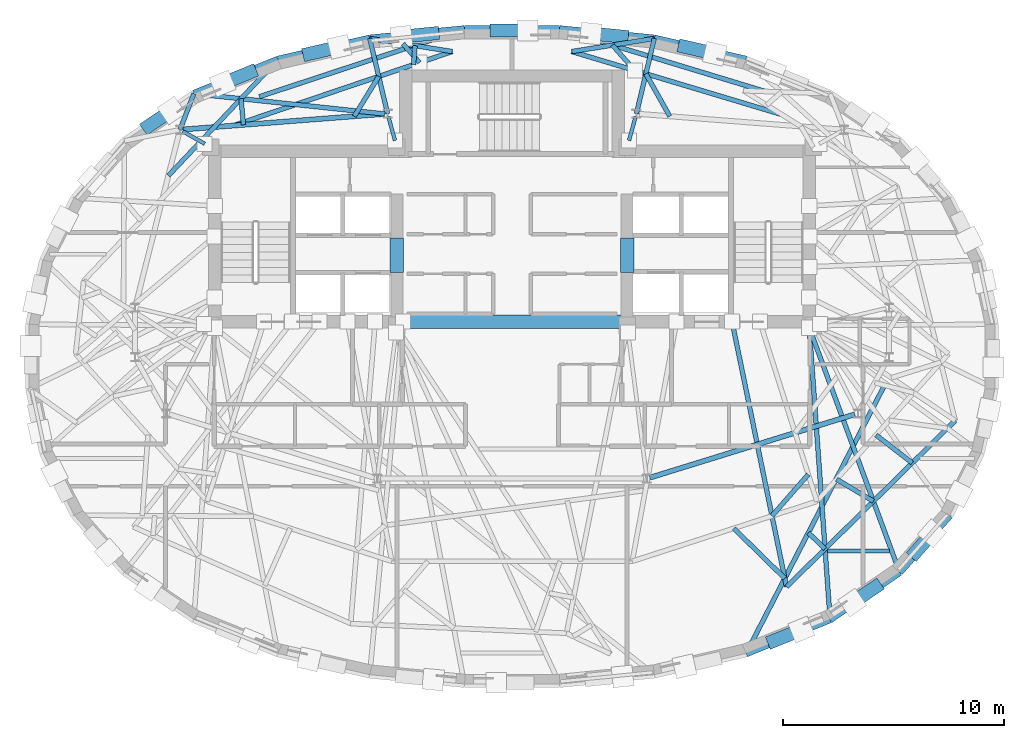
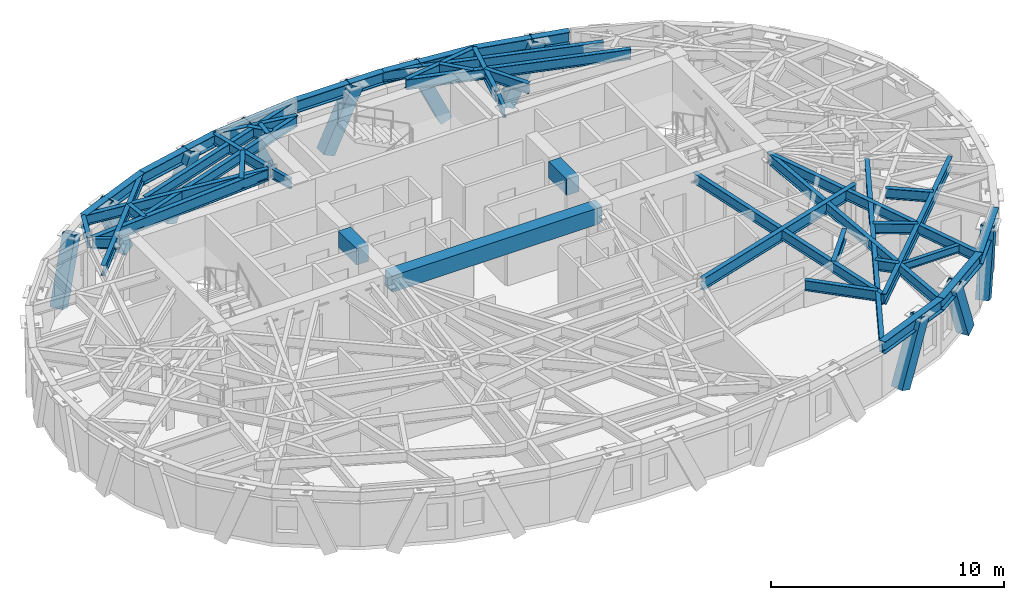
# One storey, part 3 of 12: 45 beams, 10 members.
"""IFC4 building model written with IfcOpenShell, lengths in metres."""

import ifcopenshell
import ifcopenshell.guid

model = None  # the IFC model being written
_history = None  # IfcOwnerHistory: only IFC2X3 demands one
_inside = {}  # id of a spatial element -> (the spatial element, [elements in it])
_under = {}  # id of a project, library or spatial element -> (it, [spatial elements below it])
_declared = {}  # id of a project -> (the project, [libraries it declares])
_typed = {}  # id of a type object -> (the type object, [elements of that type])
_made_of = {}  # id of a material, layer set ... -> (it, [elements and type objects made of it])


def new_model(schema):
    """Start an empty IFC model of exactly this schema.

    Asked for "IFC4X3", IfcOpenShell would pick the latest addendum, in which some entities
    have other attributes; the version numbers below select the first issue.
    IFC2X3 requires an IfcOwnerHistory on every rooted entity: one is made here for all.
    """
    global model, _history
    if schema == "IFC4X3":
        model = ifcopenshell.file(schema_version=(4, 3, 0, 0))
    else:
        model = ifcopenshell.file(schema=schema)
    _inside.clear()
    _under.clear()
    _declared.clear()
    _typed.clear()
    _made_of.clear()
    _history = None
    if model.schema == "IFC2X3":
        org = make("IfcOrganization", Name="unknown")
        user = make(
            "IfcPersonAndOrganization",
            ThePerson=make("IfcPerson", FamilyName="unknown"),
            TheOrganization=org,
        )
        app = make(
            "IfcApplication",
            ApplicationDeveloper=org,
            Version="unknown",
            ApplicationFullName="unknown",
            ApplicationIdentifier="unknown",
        )
        _history = make(
            "IfcOwnerHistory",
            OwningUser=user,
            OwningApplication=app,
            ChangeAction="ADDED",
            CreationDate=0,
        )
    return model


def make(cls, **values):
    """One entity of the class cls with the attributes given. An attribute that is None is left unset."""
    return model.create_entity(
        cls, **{name: value for name, value in values.items() if value is not None}
    )


def rooted(cls, **values):
    """An entity with a GlobalId (a new one), such as an element, a storey or a relation."""
    return make(cls, GlobalId=ifcopenshell.guid.new(), OwnerHistory=_history, **values)


def si_unit(unit_type, name, prefix=None):
    """IfcSIUnit, for example si_unit("LENGTHUNIT", "METRE", prefix="MILLI")."""
    return make("IfcSIUnit", UnitType=unit_type, Prefix=prefix, Name=name)


def assignment(units):
    """IfcUnitAssignment: the units of a project."""
    return None if units is None else make("IfcUnitAssignment", Units=units)


def point(xyz):
    """IfcCartesianPoint."""
    return None if xyz is None else make("IfcCartesianPoint", Coordinates=xyz)


def direction(xyz):
    """IfcDirection."""
    return None if xyz is None else make("IfcDirection", DirectionRatios=xyz)


def frame(location, z_axis=None, x_axis=None):
    """IfcAxis2Placement3D, a coordinate frame: its origin and axes. An axis left out is left unset."""
    return make(
        "IfcAxis2Placement3D",
        Location=point(location),
        Axis=direction(z_axis),
        RefDirection=direction(x_axis),
    )


def frame_2d(location, x_axis=None):
    """IfcAxis2Placement2D, a coordinate frame in the plane: its origin and x axis."""
    return make(
        "IfcAxis2Placement2D", Location=point(location), RefDirection=direction(x_axis)
    )


def origin():
    """The frame at (0, 0, 0) with its axes left unset."""
    return frame((0.0, 0.0, 0.0))


def origin_2d():
    """The frame at (0, 0) in the plane with its x axis left unset."""
    return frame_2d((0.0, 0.0))


def place(relative_to, where):
    """IfcLocalPlacement: puts the frame where relative to a parent placement (None: the world)."""
    return make(
        "IfcLocalPlacement", PlacementRelTo=relative_to, RelativePlacement=where
    )


def context(
    kind, dimensions, precision=None, world=None, true_north=None, identifier=None
):
    """IfcGeometricRepresentationContext, for example the 3D "Model" context."""
    return make(
        "IfcGeometricRepresentationContext",
        ContextIdentifier=identifier,
        ContextType=kind,
        CoordinateSpaceDimension=dimensions,
        Precision=precision,
        WorldCoordinateSystem=world,
        TrueNorth=true_north,
    )


def subcontext(parent, identifier, kind, view, scale=None):
    """IfcGeometricRepresentationSubContext, for example "Body" below "Model"."""
    return make(
        "IfcGeometricRepresentationSubContext",
        ContextIdentifier=identifier,
        ContextType=kind,
        ParentContext=parent,
        TargetScale=scale,
        TargetView=view,
    )


def project(units=None, contexts=None):
    """IfcProject with its units and contexts."""
    return rooted(
        "IfcProject",
        Name="project",
        RepresentationContexts=contexts,
        UnitsInContext=assignment(units),
    )


def spatial(cls, under=None, at=None, **own):
    """A site, building, storey or space (cls), placed at a placement, below another one or the project."""
    s = rooted(cls, ObjectPlacement=at, **own)
    if under is not None:
        _under.setdefault(under.id(), (under, []))[1].append(s)
    return s


def profile(cls, at=None, kind="AREA", **sizes):
    """A parametric profile (cls). Its sizes go by their IFC names, for example OverallWidth=200.0."""
    return make(cls, ProfileType=kind, Position=at, **sizes)


def rectangle(**sizes):
    """IfcRectangleProfileDef."""
    return profile("IfcRectangleProfileDef", **sizes)


def hollow_rectangle(**sizes):
    """IfcRectangleHollowProfileDef."""
    return profile("IfcRectangleHollowProfileDef", **sizes)


def i_section(**sizes):
    """IfcIShapeProfileDef."""
    return profile("IfcIShapeProfileDef", **sizes)


def extrude(swept, where, along, depth):
    """IfcExtrudedAreaSolid: the profile swept, set in the frame where, extruded along a direction by depth."""
    return make(
        "IfcExtrudedAreaSolid",
        SweptArea=swept,
        Position=where,
        ExtrudedDirection=direction(along),
        Depth=depth,
    )


def shape(context_of_items, identifier, shape_type, items):
    """IfcShapeRepresentation: the items that make up one representation, for example the "Body"."""
    return make(
        "IfcShapeRepresentation",
        ContextOfItems=context_of_items,
        RepresentationIdentifier=identifier,
        RepresentationType=shape_type,
        Items=items,
    )


def material(Name=None, Category=None):
    """IfcMaterial."""
    return make("IfcMaterial", Name=Name, Category=Category)


def material_profile(
    of_material, cross_section, Name=None, Category=None, Priority=None
):
    """IfcMaterialProfile: a cross section and its material."""
    return make(
        "IfcMaterialProfile",
        Name=Name,
        Material=of_material,
        Profile=cross_section,
        Priority=Priority,
        Category=Category,
    )


def profile_set(profiles, Name=None, composite=None):
    """IfcMaterialProfileSet."""
    return make(
        "IfcMaterialProfileSet",
        Name=Name,
        MaterialProfiles=profiles,
        CompositeProfile=composite,
    )


def made_of(thing, what):
    """Note that an element or type object is made of a material, layer set ...; save() writes the relation."""
    if what is not None:
        _made_of.setdefault(what.id(), (what, []))[1].append(thing)
    return thing


def type_object(cls, material=None, **own):
    """A type object (cls), such as IfcWallType, which elements share."""
    return made_of(rooted(cls, **own), material)


def element(
    cls,
    number,
    at=None,
    inside=None,
    cuts=None,
    type_object=None,
    material=None,
    context=None,
    identifier="Body",
    shape_type=None,
    held_by="IfcProductDefinitionShape",
    body=None,
    shapes=None,
    **own,
):
    """One element of the class cls, such as IfcWall. Its Tag is "e" and its number.

    at: its placement. inside: the storey or other place that contains it. cuts: it is an
    opening in that element (IfcRelVoidsElement). A single representation is given by context,
    identifier, shape_type and body (its items); several are given by shapes. held_by: the class
    of the entity that holds the representations. save() writes the other relations.
    """
    e = rooted(cls, Tag="e%d" % number, ObjectPlacement=at, **own)
    if body is not None:
        shapes = [shape(context, identifier, shape_type, body)]
    if shapes is not None:
        e.Representation = make(held_by, Representations=shapes)
    if inside is not None:
        _inside.setdefault(inside.id(), (inside, []))[1].append(e)
    if cuts is not None:
        rooted(
            "IfcRelVoidsElement", RelatingBuildingElement=cuts, RelatedOpeningElement=e
        )
    if type_object is not None:
        _typed.setdefault(type_object.id(), (type_object, []))[1].append(e)
    return made_of(e, material)


def aggregate(whole, parts):
    """IfcRelAggregates: a whole, such as a stair, and the parts it consists of."""
    return rooted("IfcRelAggregates", RelatingObject=whole, RelatedObjects=parts)


def save(model, path):
    """Write the relations noted so far, then the file.

    IfcRelAggregates (storeys below a building ...), IfcRelContainedInSpatialStructure (elements
    in a storey), IfcRelDefinesByType, IfcRelAssociatesMaterial and IfcRelDeclares: one each for
    every whole, place, type object, material and project.
    """
    for whole, parts in _under.values():
        aggregate(whole, parts)
    for where, things in _inside.values():
        rooted(
            "IfcRelContainedInSpatialStructure",
            RelatedElements=things,
            RelatingStructure=where,
        )
    for kind, things in _typed.values():
        rooted("IfcRelDefinesByType", RelatedObjects=things, RelatingType=kind)
    for what, things in _made_of.values():
        rooted("IfcRelAssociatesMaterial", RelatedObjects=things, RelatingMaterial=what)
    for by, libraries in _declared.values():
        rooted("IfcRelDeclares", RelatingContext=by, RelatedDefinitions=libraries)
    model.write(path)


model = new_model("IFC4")

# Units and contexts
model_context = context("Model", 3, precision=1e-05, world=origin(), true_north=direction((0.0, 1.0)))
body_context = subcontext(model_context, "Body", "Model", "MODEL_VIEW")
ifc_project = project(units=[si_unit("LENGTHUNIT", "METRE"), si_unit("AREAUNIT", "SQUARE_METRE"), si_unit("VOLUMEUNIT", "CUBIC_METRE"), si_unit("PLANEANGLEUNIT", "RADIAN"), si_unit("MASSUNIT", "GRAM", prefix="KILO")], contexts=[model_context])

# Site, building, storey
site_placement = place(None, origin())
site = spatial("IfcSite", under=ifc_project, at=site_placement, CompositionType="ELEMENT")
building_placement = place(site_placement, origin())
building = spatial("IfcBuilding", under=site, at=building_placement, Name="Keldmark Tower", CompositionType="ELEMENT")
storey_placement = place(building_placement, frame((0.0, 0.0, 238.35009765625)))
storey = spatial("IfcBuildingStorey", under=building, at=storey_placement, Name="L67", CompositionType="ELEMENT", Elevation=238.35009765625)

# Beams
ifc_material_1 = material(Name="Steel ASTM A992 Grade 50", Category="steel")
ifc_material_profile_1 = material_profile(ifc_material_1, i_section(OverallWidth=0.177978515625, OverallDepth=0.403076171875, WebThickness=0.007568359375, FlangeThickness=0.010986328125, at=origin_2d()), Name="W16X36")
ifc_profile_set_1 = profile_set([ifc_material_profile_1], Name="Steel ASTM A992 Grade 50")
beam_type_1 = type_object("IfcBeamType", Name="Composite Floor Joist W16X36", PredefinedType="JOIST", material=ifc_profile_set_1)
beam_1_placement = place(storey_placement, frame((14.241455078125, -8.780029296875, 2.768310546875), z_axis=(1.0, 0.0, 0.0), x_axis=(0.0, 1.0, 0.0)))
element("IfcBeam", 1, at=beam_1_placement, inside=storey, type_object=beam_type_1, Name="L67 Composite Floor Joist J02", PredefinedType="JOIST", context=body_context, shape_type="SweptSolid", body=[
    extrude(i_section(OverallWidth=0.177978515625, OverallDepth=0.403076171875, WebThickness=0.007568359375, FlangeThickness=0.010986328125, at=origin_2d()), origin(), (0.0, 0.0, 1.0), 2.805419921875),
])
ifc_material_2 = material(Name="Concrete C50/60", Category="concrete")
ifc_material_profile_2 = material_profile(ifc_material_2, rectangle(XDim=0.60009765625, YDim=0.85009765625, at=origin_2d()), Name="RCB600X850")
ifc_profile_set_2 = profile_set([ifc_material_profile_2], Name="Concrete C50/60")
beam_type_2 = type_object("IfcBeamType", Name="Core Coupling Beam RCB600X850", PredefinedType="USERDEFINED", material=ifc_profile_set_2)
for number, where, z_axis, x_axis, name in (
    (2, (-5.199951171875, 3.800048828125, 2.544921875), (0.0, 1.0, 0.0), (-1.0, 0.0, 0.0), "L67 West Core Coupling Beam"),
    (3, (5.199951171875, 3.800048828125, 2.544921875), (0.0, 1.0, 0.0), (-1.0, 0.0, 0.0), "L67 East Core Coupling Beam"),
):
    element("IfcBeam", number, at=place(storey_placement, frame(where, z_axis=z_axis, x_axis=x_axis)), inside=storey, type_object=beam_type_2, Name=name, ObjectType="COUPLING BEAM", PredefinedType="USERDEFINED", context=body_context, shape_type="SweptSolid", body=[
        extrude(rectangle(XDim=0.60009765625, YDim=0.85009765625, at=origin_2d()), origin(), (0.0, 0.0, 1.0), 1.550048828125),
    ])
beam_2_placement = place(storey_placement, frame((-5.199951171875, 1.574951171875, 2.544921875), z_axis=(1.0, 0.0, 0.0), x_axis=(0.0, 1.0, 0.0)))
element("IfcBeam", 4, at=beam_2_placement, inside=storey, type_object=beam_type_2, Name="L67 Central South Core Coupling Beam", ObjectType="COUPLING BEAM", PredefinedType="USERDEFINED", context=body_context, shape_type="SweptSolid", body=[
    extrude(rectangle(XDim=0.60009765625, YDim=0.85009765625, at=origin_2d()), origin(), (0.0, 0.0, 1.0), 10.39990234375),
])

# Members
ifc_material_3 = material(Name="Steel ASTM A572 Grade 50", Category="steel")
ifc_material_profile_3 = material_profile(ifc_material_3, hollow_rectangle(XDim=0.60009765625, YDim=0.60009765625, WallThickness=0.034912109375, at=origin_2d()), Name="BOX600X600X35")
ifc_profile_set_3 = profile_set([ifc_material_profile_3], Name="Steel ASTM A572 Grade 50")
member_type = type_object("IfcMemberType", Name="Diagrid Zone 4 Brace BOX600X600X35", PredefinedType="BRACE", material=ifc_profile_set_3)
member_1_placement = place(storey_placement, frame((7.779052734375, 13.993408203125, -0.260009765625), z_axis=(0.404171074837, -0.093220794037, 0.909920670072), x_axis=(0.224746304795, 0.974417312285, 0.0)))
element("IfcMember", 5, at=member_1_placement, inside=storey, type_object=member_type, Name="L67 Perimeter Diagrid Brace 03B", PredefinedType="BRACE", context=body_context, shape_type="SweptSolid", body=[
    extrude(hollow_rectangle(XDim=0.60009765625, YDim=0.60009765625, WallThickness=0.034912109375, at=origin_2d()), origin(), (0.0, 0.0, 1.0), 3.417724609375),
])
member_2_placement = place(storey_placement, frame((4.982666015625, 14.448974609375, -0.260009765625), z_axis=(-0.416462771452, 0.041211347697, 0.908218247348), x_axis=(-0.09847468982, -0.995139555773, 0.0)))
element("IfcMember", 6, at=member_2_placement, inside=storey, type_object=member_type, Name="L67 Perimeter Diagrid Brace 04A", PredefinedType="BRACE", context=body_context, shape_type="SweptSolid", body=[
    extrude(hollow_rectangle(XDim=0.60009765625, YDim=0.60009765625, WallThickness=0.034912109375, at=origin_2d()), origin(), (0.0, 0.0, 1.0), 3.424072265625),
])
member_3_placement = place(storey_placement, frame((-0.721923828125, 14.72900390625, -0.260009765625), z_axis=(0.418289298544, 0.0, 0.908313856948), x_axis=(0.0, 1.0, 0.0)))
element("IfcMember", 7, at=member_3_placement, inside=storey, type_object=member_type, Name="L67 Perimeter Diagrid Brace 04B", PredefinedType="BRACE", context=body_context, shape_type="SweptSolid", body=[
    extrude(hollow_rectangle(XDim=0.60009765625, YDim=0.60009765625, WallThickness=0.034912109375, at=origin_2d()), origin(), (0.0, 0.0, 1.0), 3.423828125),
])
member_4_placement = place(storey_placement, frame((-3.568115234375, 14.587890625, -0.260009765625), z_axis=(-0.416461546679, -0.041282526199, 0.908215576374), x_axis=(0.09864340487, -0.995122846022, 0.0)))
element("IfcMember", 8, at=member_4_placement, inside=storey, type_object=member_type, Name="L67 Perimeter Diagrid Brace 05A", PredefinedType="BRACE", context=body_context, shape_type="SweptSolid", body=[
    extrude(hollow_rectangle(XDim=0.60009765625, YDim=0.60009765625, WallThickness=0.034912109375, at=origin_2d()), origin(), (0.0, 0.0, 1.0), 3.424072265625),
])
member_5_placement = place(storey_placement, frame((-9.171142578125, 13.67041015625, -0.260009765625), z_axis=(0.404111307666, 0.093223485329, 0.909946939552), x_axis=(-0.224784026434, 0.974408611138, 0.0)))
element("IfcMember", 9, at=member_5_placement, inside=storey, type_object=member_type, Name="L67 Perimeter Diagrid Brace 05B", PredefinedType="BRACE", context=body_context, shape_type="SweptSolid", body=[
    extrude(hollow_rectangle(XDim=0.60009765625, YDim=0.60009765625, WallThickness=0.034912109375, at=origin_2d()), origin(), (0.0, 0.0, 1.0), 3.417724609375),
])
member_6_placement = place(storey_placement, frame((-11.806884765625, 12.84326171875, -0.260009765625), z_axis=(-0.372561078333, -0.151094614443, 0.91562473776), x_axis=(0.37582546078, -0.926690467756, 0.0)))
element("IfcMember", 10, at=member_6_placement, inside=storey, type_object=member_type, Name="L67 Perimeter Diagrid Brace 06A", PredefinedType="BRACE", context=body_context, shape_type="SweptSolid", body=[
    extrude(hollow_rectangle(XDim=0.60009765625, YDim=0.60009765625, WallThickness=0.034912109375, at=origin_2d()), origin(), (0.0, 0.0, 1.0), 3.396484375),
])
member_7_placement = place(storey_placement, frame((-16.42041015625, 10.404541015625, -0.260009765625), z_axis=(0.311701856625, 0.211340549545, 0.926378499694), x_axis=(-0.56118969734, 0.827687213626, 0.0)))
element("IfcMember", 11, at=member_7_placement, inside=storey, type_object=member_type, Name="L67 Perimeter Diagrid Brace 06B", PredefinedType="BRACE", context=body_context, shape_type="SweptSolid", body=[
    extrude(hollow_rectangle(XDim=0.60009765625, YDim=0.60009765625, WallThickness=0.034912109375, at=origin_2d()), origin(), (0.0, 0.0, 1.0), 3.35693359375),
])
member_8_placement = place(storey_placement, frame((11.806884765625, -12.84326171875, -0.260009765625), z_axis=(0.372561078333, 0.151094614443, 0.91562473776), x_axis=(-0.37582546078, 0.926690467756, 0.0)))
element("IfcMember", 12, at=member_8_placement, inside=storey, type_object=member_type, Name="L67 Perimeter Diagrid Brace 14A", PredefinedType="BRACE", context=body_context, shape_type="SweptSolid", body=[
    extrude(hollow_rectangle(XDim=0.60009765625, YDim=0.60009765625, WallThickness=0.034912109375, at=origin_2d()), origin(), (0.0, 0.0, 1.0), 3.396484375),
])
member_9_placement = place(storey_placement, frame((16.42041015625, -10.404541015625, -0.260009765625), z_axis=(-0.311701856625, -0.211340549545, 0.926378499694), x_axis=(0.56118969734, -0.827687213626, 0.0)))
element("IfcMember", 13, at=member_9_placement, inside=storey, type_object=member_type, Name="L67 Perimeter Diagrid Brace 14B", PredefinedType="BRACE", context=body_context, shape_type="SweptSolid", body=[
    extrude(hollow_rectangle(XDim=0.60009765625, YDim=0.60009765625, WallThickness=0.034912109375, at=origin_2d()), origin(), (0.0, 0.0, 1.0), 3.35693359375),
])
member_10_placement = place(storey_placement, frame((18.215087890625, -8.84521484375, -0.260009765625), z_axis=(0.228331892863, 0.258908767835, 0.938525863597), x_axis=(-0.750006003606, 0.661431020255, 0.0)))
element("IfcMember", 14, at=member_10_placement, inside=storey, type_object=member_type, Name="L67 Perimeter Diagrid Brace 15A", PredefinedType="BRACE", context=body_context, shape_type="SweptSolid", body=[
    extrude(hollow_rectangle(XDim=0.60009765625, YDim=0.60009765625, WallThickness=0.034912109375, at=origin_2d()), origin(), (0.0, 0.0, 1.0), 3.3134765625),
])

# Beams
ifc_material_4 = material(Name="Steel ASTM A992 Grade 50", Category="steel")
ifc_material_profile_4 = material_profile(ifc_material_4, i_section(OverallWidth=0.22802734375, OverallDepth=0.60302734375, WebThickness=0.010498046875, FlangeThickness=0.014892578125, at=origin_2d()), Name="W24X68")
ifc_profile_set_4 = profile_set([ifc_material_profile_4], Name="Steel ASTM A992 Grade 50")
beam_type_3 = type_object("IfcBeamType", Name="Primary Floor Girder W24X68", PredefinedType="BEAM", material=ifc_profile_set_4)
beam_3_placement = place(storey_placement, frame((-5.75830078125, 10.956298828125, 2.66845703125), z_axis=(-0.997037147832, -0.076921556421, 0.0), x_axis=(0.076921556421, -0.997037147832, 0.0)))
element("IfcBeam", 15, at=beam_3_placement, inside=storey, type_object=beam_type_3, Name="L67 Floor Ring Girder FG-R04", PredefinedType="BEAM", context=body_context, shape_type="SweptSolid", body=[
    extrude(i_section(OverallWidth=0.22802734375, OverallDepth=0.60302734375, WebThickness=0.010498046875, FlangeThickness=0.014892578125, at=origin_2d()), origin(), (0.0, 0.0, 1.0), 9.125),
])
beam_4_placement = place(storey_placement, frame((6.223388671875, -5.471435546875, 2.66845703125), z_axis=(0.955383255089, 0.295368982622, 0.0), x_axis=(-0.295368982622, 0.955383255089, 0.0)))
element("IfcBeam", 16, at=beam_4_placement, inside=storey, type_object=beam_type_3, Name="L67 Floor Ring Girder FG-R10", PredefinedType="BEAM", context=body_context, shape_type="SweptSolid", body=[
    extrude(i_section(OverallWidth=0.22802734375, OverallDepth=0.60302734375, WebThickness=0.010498046875, FlangeThickness=0.014892578125, at=origin_2d()), origin(), (0.0, 0.0, 1.0), 9.69140625),
])
ifc_material_5 = material(Name="Steel ASTM A992 Grade 50", Category="steel")
ifc_material_profile_5 = material_profile(ifc_material_5, i_section(OverallWidth=0.166015625, OverallDepth=0.529052734375, WebThickness=0.009765625, FlangeThickness=0.013671875, at=origin_2d()), Name="W21X50")
ifc_profile_set_5 = profile_set([ifc_material_profile_5], Name="Steel ASTM A992 Grade 50")
beam_type_4 = type_object("IfcBeamType", Name="Radial Tie Girder W21X50", PredefinedType="BEAM", material=ifc_profile_set_5)
for number, where, z_axis, x_axis, name in (
    (17, (5.581298828125, 10.83203125, 2.705322265625), (-0.265936023434, -0.963990680163, 0.0), (0.963990680163, -0.265936023434, 0.0), "L67 Floor Radial Girder FG-C03"),
    (18, (-5.581298828125, 10.83203125, 2.705322265625), (0.265936023434, -0.963990680163, 0.0), (0.963990680163, 0.265936023434, 0.0), "L67 Floor Radial Girder FG-C04"),
):
    element("IfcBeam", number, at=place(storey_placement, frame(where, z_axis=z_axis, x_axis=x_axis)), inside=storey, type_object=beam_type_4, Name=name, PredefinedType="BEAM", context=body_context, shape_type="SweptSolid", body=[
        extrude(i_section(OverallWidth=0.166015625, OverallDepth=0.529052734375, WebThickness=0.009765625, FlangeThickness=0.013671875, at=origin_2d()), origin(), (0.0, 0.0, 1.0), 1.113525390625),
    ])
beam_5_placement = place(storey_placement, frame((-14.8740234375, 10.174560546875, 2.705322265625), z_axis=(0.869238046195, -0.494393789451, 0.0), x_axis=(0.494393789451, 0.869238046195, 0.0)))
element("IfcBeam", 19, at=beam_5_placement, inside=storey, type_object=beam_type_4, Name="L67 Floor Radial Girder FG-C05", PredefinedType="BEAM", context=body_context, shape_type="SweptSolid", body=[
    extrude(i_section(OverallWidth=0.166015625, OverallDepth=0.529052734375, WebThickness=0.009765625, FlangeThickness=0.013671875, at=origin_2d()), origin(), (0.0, 0.0, 1.0), 1.145751953125),
])
ifc_material_6 = material(Name="Steel ASTM A992 Grade 50", Category="steel")
ifc_material_profile_6 = material_profile(ifc_material_6, i_section(OverallWidth=0.2099609375, OverallDepth=0.537109375, WebThickness=0.010986328125, FlangeThickness=0.017333984375, at=origin_2d()), Name="W21X68")
ifc_profile_set_6 = profile_set([ifc_material_profile_6], Name="Steel ASTM A992 Grade 50")
beam_type_5 = type_object("IfcBeamType", Name="Radial Tie Girder W21X68", PredefinedType="BEAM", material=ifc_profile_set_6)
beam_6_placement = place(storey_placement, frame((13.381103515625, -5.323486328125, 2.701416015625), z_axis=(-0.658386631261, -0.752679907913, 0.0), x_axis=(0.752679907913, -0.658386631261, 0.0)))
element("IfcBeam", 20, at=beam_6_placement, inside=storey, type_object=beam_type_5, Name="L67 Framing Pin Header PH-011", PredefinedType="BEAM", context=body_context, shape_type="SweptSolid", body=[
    extrude(i_section(OverallWidth=0.2099609375, OverallDepth=0.537109375, WebThickness=0.010986328125, FlangeThickness=0.017333984375, at=origin_2d()), origin(), (0.0, 0.0, 1.0), 2.49072265625),
])
beam_7_placement = place(storey_placement, frame((9.939208984375, 1.574951171875, 2.701416015625), z_axis=(0.201216820999, -0.979546727291, 0.0), x_axis=(0.979546727291, 0.201216820999, 0.0)))
element("IfcBeam", 21, at=beam_7_placement, inside=storey, type_object=beam_type_5, Name="L67 Sub-Ring Step Girder STP2-M11", PredefinedType="BEAM", context=body_context, shape_type="SweptSolid", body=[
    extrude(i_section(OverallWidth=0.2099609375, OverallDepth=0.537109375, WebThickness=0.010986328125, FlangeThickness=0.017333984375, at=origin_2d()), origin(), (0.0, 0.0, 1.0), 12.2265625),
])
beam_8_placement = place(storey_placement, frame((12.3994140625, -10.401611328125, 2.701416015625), z_axis=(0.712109920775, 0.702067988683, 0.0), x_axis=(-0.702067988683, 0.712109920775, 0.0)))
element("IfcBeam", 22, at=beam_8_placement, inside=storey, type_object=beam_type_5, Name="L67 Perimeter Collector Ring Beam CRG2-M11", PredefinedType="BEAM", context=body_context, shape_type="SweptSolid", body=[
    extrude(i_section(OverallWidth=0.2099609375, OverallDepth=0.537109375, WebThickness=0.010986328125, FlangeThickness=0.017333984375, at=origin_2d()), origin(), (0.0, 0.0, 1.0), 10.697265625),
])
for number, where, z_axis, x_axis, name in (
    (23, (5.61865234375, 10.967041015625, 2.701416015625), (0.231236197602, 0.972897641542, 0.0), (-0.972897641542, 0.231236197602, 0.0), "L67 Perimeter Column Bracket RT-07"),
    (24, (-5.61865234375, 10.967041015625, 2.701416015625), (-0.231236197602, 0.972897641542, 0.0), (-0.972897641542, -0.231236197602, 0.0), "L67 Perimeter Column Bracket RT-10"),
):
    element("IfcBeam", number, at=place(storey_placement, frame(where, z_axis=z_axis, x_axis=x_axis)), inside=storey, type_object=beam_type_5, Name=name, PredefinedType="BEAM", context=body_context, shape_type="SweptSolid", body=[
        extrude(i_section(OverallWidth=0.2099609375, OverallDepth=0.537109375, WebThickness=0.010986328125, FlangeThickness=0.017333984375, at=origin_2d()), origin(), (0.0, 0.0, 1.0), 3.49267578125),
    ])
beam_9_placement = place(storey_placement, frame((-14.995849609375, 10.24365234375, 2.701416015625), z_axis=(0.361135466813, 0.932513364306, 0.0), x_axis=(-0.932513364306, 0.361135466813, 0.0)))
element("IfcBeam", 25, at=beam_9_placement, inside=storey, type_object=beam_type_5, Name="L67 Perimeter Column Bracket RT-12", PredefinedType="BEAM", context=body_context, shape_type="SweptSolid", body=[
    extrude(i_section(OverallWidth=0.2099609375, OverallDepth=0.537109375, WebThickness=0.010986328125, FlangeThickness=0.017333984375, at=origin_2d()), origin(), (0.0, 0.0, 1.0), 1.744140625),
])
beam_10_placement = place(storey_placement, frame((10.015869140625, -7.758056640625, 2.701416015625), z_axis=(0.713993507616, -0.700152319915, 0.0), x_axis=(0.700152319915, 0.713993507616, 0.0)))
element("IfcBeam", 26, at=beam_10_placement, inside=storey, type_object=beam_type_5, Name="L67 Framing Pin Header PH-032", PredefinedType="BEAM", context=body_context, shape_type="SweptSolid", body=[
    extrude(i_section(OverallWidth=0.2099609375, OverallDepth=0.537109375, WebThickness=0.010986328125, FlangeThickness=0.017333984375, at=origin_2d()), origin(), (0.0, 0.0, 1.0), 3.227783203125),
])
beam_11_placement = place(storey_placement, frame((16.823974609375, -1.294921875, 2.701416015625), z_axis=(-0.45873734007, -0.888571917644, 0.0), x_axis=(0.888571917644, -0.45873734007, 0.0)))
element("IfcBeam", 27, at=beam_11_placement, inside=storey, type_object=beam_type_5, Name="L67 Perimeter Radial Tie Girder RT-27", PredefinedType="BEAM", context=body_context, shape_type="SweptSolid", body=[
    extrude(i_section(OverallWidth=0.2099609375, OverallDepth=0.537109375, WebThickness=0.010986328125, FlangeThickness=0.017333984375, at=origin_2d()), origin(), (0.0, 0.0, 1.0), 13.63330078125),
])
beam_12_placement = place(storey_placement, frame((13.38427734375, -7.957763671875, 2.701416015625), z_axis=(0.718875949313, -0.695138381547, 0.0), x_axis=(0.695138381547, 0.718875949313, 0.0)))
element("IfcBeam", 28, at=beam_12_placement, inside=storey, type_object=beam_type_5, Name="L67 Framing Pin Header PH-033", PredefinedType="BEAM", context=body_context, shape_type="SweptSolid", body=[
    extrude(i_section(OverallWidth=0.2099609375, OverallDepth=0.537109375, WebThickness=0.010986328125, FlangeThickness=0.017333984375, at=origin_2d()), origin(), (0.0, 0.0, 1.0), 1.049072265625),
])
beam_13_placement = place(storey_placement, frame((13.425048828125, 1.300048828125, 2.701416015625), z_axis=(0.071261504304, -0.997457667274, 0.0), x_axis=(0.997457667274, 0.071261504304, 0.0)))
element("IfcBeam", 29, at=beam_13_placement, inside=storey, type_object=beam_type_5, Name="L67 Perimeter Radial Tie Girder RT-28", PredefinedType="BEAM", context=body_context, shape_type="SweptSolid", body=[
    extrude(i_section(OverallWidth=0.2099609375, OverallDepth=0.537109375, WebThickness=0.010986328125, FlangeThickness=0.017333984375, at=origin_2d()), origin(), (0.0, 0.0, 1.0), 13.20361328125),
])
beam_14_placement = place(storey_placement, frame((14.658447265625, -5.5419921875, 2.701416015625), z_axis=(0.858226282888, -0.51327151427, 0.0), x_axis=(0.51327151427, 0.858226282888, 0.0)))
element("IfcBeam", 30, at=beam_14_placement, inside=storey, type_object=beam_type_5, Name="L67 Framing Pin Header PH-034", PredefinedType="BEAM", context=body_context, shape_type="SweptSolid", body=[
    extrude(i_section(OverallWidth=0.2099609375, OverallDepth=0.537109375, WebThickness=0.010986328125, FlangeThickness=0.017333984375, at=origin_2d()), origin(), (0.0, 0.0, 1.0), 1.936279296875),
])
beam_15_placement = place(storey_placement, frame((13.425048828125, 1.300048828125, 2.701416015625), z_axis=(0.346596188863, -0.938014435851, 0.0), x_axis=(0.938014435851, 0.346596188863, 0.0)))
element("IfcBeam", 31, at=beam_15_placement, inside=storey, type_object=beam_type_5, Name="L67 Perimeter Radial Tie Girder RT-29", PredefinedType="BEAM", context=body_context, shape_type="SweptSolid", body=[
    extrude(i_section(OverallWidth=0.2099609375, OverallDepth=0.537109375, WebThickness=0.010986328125, FlangeThickness=0.017333984375, at=origin_2d()), origin(), (0.0, 0.0, 1.0), 11.771240234375),
])
beam_16_placement = place(storey_placement, frame((16.441162109375, -3.5439453125, 2.701416015625), z_axis=(0.790897277524, -0.611948932841, 0.0), x_axis=(0.611948932841, 0.790897277524, 0.0)))
element("IfcBeam", 32, at=beam_16_placement, inside=storey, type_object=beam_type_5, Name="L67 Framing Pin Header PH-035", PredefinedType="BEAM", context=body_context, shape_type="SweptSolid", body=[
    extrude(i_section(OverallWidth=0.2099609375, OverallDepth=0.537109375, WebThickness=0.010986328125, FlangeThickness=0.017333984375, at=origin_2d()), origin(), (0.0, 0.0, 1.0), 2.064208984375),
])
beam_17_placement = place(storey_placement, frame((7.122802734375, 10.85107421875, 2.701416015625), z_axis=(-0.489069746044, 0.872244680984, 0.0), x_axis=(-0.872244680984, -0.489069746044, 0.0)))
element("IfcBeam", 33, at=beam_17_placement, inside=storey, type_object=beam_type_5, Name="L67 Framing Pin Header PH-038", PredefinedType="BEAM", context=body_context, shape_type="SweptSolid", body=[
    extrude(i_section(OverallWidth=0.2099609375, OverallDepth=0.537109375, WebThickness=0.010986328125, FlangeThickness=0.017333984375, at=origin_2d()), origin(), (0.0, 0.0, 1.0), 2.199462890625),
])
beam_18_placement = place(storey_placement, frame((12.191650390625, 10.92626953125, 2.701416015625), z_axis=(-0.957831708563, 0.287329807139, 0.0), x_axis=(-0.287329807139, -0.957831708563, 0.0)))
element("IfcBeam", 34, at=beam_18_placement, inside=storey, type_object=beam_type_5, Name="L67 Crown Step Radial Girder RT-08RN2", PredefinedType="BEAM", context=body_context, shape_type="SweptSolid", body=[
    extrude(i_section(OverallWidth=0.2099609375, OverallDepth=0.537109375, WebThickness=0.010986328125, FlangeThickness=0.017333984375, at=origin_2d()), origin(), (0.0, 0.0, 1.0), 9.91162109375),
])
beam_19_placement = place(storey_placement, frame((2.697998046875, 13.774169921875, 2.701416015625), z_axis=(0.987675234095, 0.156517193799, 0.0), x_axis=(-0.156517193799, 0.987675234095, 0.0)))
element("IfcBeam", 35, at=beam_19_placement, inside=storey, type_object=beam_type_5, Name="L67 Crown Step Collector Chord RT-08RP2", PredefinedType="BEAM", context=body_context, shape_type="SweptSolid", body=[
    extrude(i_section(OverallWidth=0.2099609375, OverallDepth=0.537109375, WebThickness=0.010986328125, FlangeThickness=0.017333984375, at=origin_2d()), origin(), (0.0, 0.0, 1.0), 3.77490234375),
])
beam_20_placement = place(storey_placement, frame((5.546142578125, 12.919921875, 2.701416015625), z_axis=(-0.662239510471, 0.749292219879, 0.0), x_axis=(-0.749292219879, -0.662239510471, 0.0)))
element("IfcBeam", 36, at=beam_20_placement, inside=storey, type_object=beam_type_5, Name="L67 Framing Pin Header PH-039", PredefinedType="BEAM", context=body_context, shape_type="SweptSolid", body=[
    extrude(i_section(OverallWidth=0.2099609375, OverallDepth=0.537109375, WebThickness=0.010986328125, FlangeThickness=0.017333984375, at=origin_2d()), origin(), (0.0, 0.0, 1.0), 1.528564453125),
])
beam_21_placement = place(storey_placement, frame((11.4375, 11.9716796875, 2.701416015625), z_axis=(-0.956963676177, 0.290207722981, 0.0), x_axis=(-0.290207722981, -0.956963676177, 0.0)))
element("IfcBeam", 37, at=beam_21_placement, inside=storey, type_object=beam_type_5, Name="L67 Perimeter Radial Tie Girder RT-08R", PredefinedType="BEAM", context=body_context, shape_type="SweptSolid", body=[
    extrude(i_section(OverallWidth=0.2099609375, OverallDepth=0.537109375, WebThickness=0.010986328125, FlangeThickness=0.017333984375, at=origin_2d()), origin(), (0.0, 0.0, 1.0), 9.707275390625),
])
beam_22_placement = place(storey_placement, frame((-7.122802734375, 10.85107421875, 2.701416015625), z_axis=(0.522922663545, 0.852380131134, 0.0), x_axis=(-0.852380131134, 0.522922663545, 0.0)))
element("IfcBeam", 38, at=beam_22_placement, inside=storey, type_object=beam_type_5, Name="L67 Framing Pin Header PH-040", PredefinedType="BEAM", context=body_context, shape_type="SweptSolid", body=[
    extrude(i_section(OverallWidth=0.2099609375, OverallDepth=0.537109375, WebThickness=0.010986328125, FlangeThickness=0.017333984375, at=origin_2d()), origin(), (0.0, 0.0, 1.0), 2.111328125),
])
beam_23_placement = place(storey_placement, frame((-12.581787109375, 10.429931640625, 2.701416015625), z_axis=(0.94724635445, 0.320506386801, 0.0), x_axis=(-0.320506386801, 0.94724635445, 0.0)))
element("IfcBeam", 39, at=beam_23_placement, inside=storey, type_object=beam_type_5, Name="L67 Crown Step Radial Girder RT-09RN1", PredefinedType="BEAM", context=body_context, shape_type="SweptSolid", body=[
    extrude(i_section(OverallWidth=0.2099609375, OverallDepth=0.537109375, WebThickness=0.010986328125, FlangeThickness=0.017333984375, at=origin_2d()), origin(), (0.0, 0.0, 1.0), 10.434326171875),
])
beam_24_placement = place(storey_placement, frame((-2.697998046875, 13.774169921875, 2.701416015625), z_axis=(-0.987675234095, 0.156517193799, 0.0), x_axis=(-0.156517193799, -0.987675234095, 0.0)))
element("IfcBeam", 40, at=beam_24_placement, inside=storey, type_object=beam_type_5, Name="L67 Crown Step Collector Chord RT-09RP1", PredefinedType="BEAM", context=body_context, shape_type="SweptSolid", body=[
    extrude(i_section(OverallWidth=0.2099609375, OverallDepth=0.537109375, WebThickness=0.010986328125, FlangeThickness=0.017333984375, at=origin_2d()), origin(), (0.0, 0.0, 1.0), 3.77490234375),
])
beam_25_placement = place(storey_placement, frame((-4.1806640625, 13.272705078125, 2.701416015625), z_axis=(-0.654840027108, 0.755767516434, 0.0), x_axis=(-0.755767516434, -0.654840027108, 0.0)))
element("IfcBeam", 41, at=beam_25_placement, inside=storey, type_object=beam_type_5, Name="L67 Framing Pin Header PH-041", PredefinedType="BEAM", context=body_context, shape_type="SweptSolid", body=[
    extrude(i_section(OverallWidth=0.2099609375, OverallDepth=0.537109375, WebThickness=0.010986328125, FlangeThickness=0.017333984375, at=origin_2d()), origin(), (0.0, 0.0, 1.0), 1.129638671875),
])
beam_26_placement = place(storey_placement, frame((-4.375732421875, 14.0400390625, 2.701416015625), z_axis=(-0.082293949072, -0.996608100482, 0.0), x_axis=(0.996608100482, -0.082293949072, 0.0)))
element("IfcBeam", 42, at=beam_26_placement, inside=storey, type_object=beam_type_5, Name="L67 Framing Pin Header PH-042", PredefinedType="BEAM", context=body_context, shape_type="SweptSolid", body=[
    extrude(i_section(OverallWidth=0.2099609375, OverallDepth=0.537109375, WebThickness=0.010986328125, FlangeThickness=0.017333984375, at=origin_2d()), origin(), (0.0, 0.0, 1.0), 0.8603515625),
])
beam_27_placement = place(storey_placement, frame((-11.41015625, 11.736083984375, 2.701416015625), z_axis=(0.949744356652, 0.313026607506, 0.0), x_axis=(-0.313026607506, 0.949744356652, 0.0)))
element("IfcBeam", 43, at=beam_27_placement, inside=storey, type_object=beam_type_5, Name="L67 Perimeter Radial Tie Girder RT-09R", PredefinedType="BEAM", context=body_context, shape_type="SweptSolid", body=[
    extrude(i_section(OverallWidth=0.2099609375, OverallDepth=0.537109375, WebThickness=0.010986328125, FlangeThickness=0.017333984375, at=origin_2d()), origin(), (0.0, 0.0, 1.0), 9.752197265625),
])
beam_28_placement = place(storey_placement, frame((-5.75830078125, 10.956298828125, 2.701416015625), z_axis=(-0.994411867559, 0.105570060421, 0.0), x_axis=(-0.105570060421, -0.994411867559, 0.0)))
element("IfcBeam", 44, at=beam_28_placement, inside=storey, type_object=beam_type_5, Name="L67 Straddling Support Chord RT-11RB", PredefinedType="BEAM", context=body_context, shape_type="SweptSolid", body=[
    extrude(i_section(OverallWidth=0.2099609375, OverallDepth=0.537109375, WebThickness=0.010986328125, FlangeThickness=0.017333984375, at=origin_2d()), origin(), (0.0, 0.0, 1.0), 8.656005859375),
])
beam_29_placement = place(storey_placement, frame((-12.126708984375, 10.465087890625, 2.701416015625), z_axis=(-0.092989410044, 0.995667097789, 0.0), x_axis=(-0.995667097789, -0.092989410044, 0.0)))
element("IfcBeam", 45, at=beam_29_placement, inside=storey, type_object=beam_type_5, Name="L67 Framing Pin Header PH-043", PredefinedType="BEAM", context=body_context, shape_type="SweptSolid", body=[
    extrude(i_section(OverallWidth=0.2099609375, OverallDepth=0.537109375, WebThickness=0.010986328125, FlangeThickness=0.017333984375, at=origin_2d()), origin(), (0.0, 0.0, 1.0), 1.18408203125),
])
beam_30_placement = place(storey_placement, frame((-15.5205078125, 8.1669921875, 2.701416015625), z_axis=(0.686603647825, 0.727031932444, 0.0), x_axis=(-0.727031932444, 0.686603647825, 0.0)))
element("IfcBeam", 46, at=beam_30_placement, inside=storey, type_object=beam_type_5, Name="L67 Perimeter Radial Tie Girder RT-11R", PredefinedType="BEAM", context=body_context, shape_type="SweptSolid", body=[
    extrude(i_section(OverallWidth=0.2099609375, OverallDepth=0.537109375, WebThickness=0.010986328125, FlangeThickness=0.017333984375, at=origin_2d()), origin(), (0.0, 0.0, 1.0), 7.21044921875),
])
ifc_material_7 = material(Name="Steel ASTM A992 Grade 50", Category="steel")
ifc_material_profile_7 = material_profile(ifc_material_7, i_section(OverallWidth=0.326904296875, OverallDepth=0.6220703125, WebThickness=0.015380859375, FlangeThickness=0.0244140625, at=origin_2d()), Name="W24X131")
ifc_profile_set_7 = profile_set([ifc_material_profile_7], Name="Steel ASTM A992 Grade 50")
beam_type_6 = type_object("IfcBeamType", Name="Spandrel Ring Beam W24X131", PredefinedType="SPANDREL", material=ifc_profile_set_7)
beam_31_placement = place(storey_placement, frame((10.56982421875, 13.4091796875, 2.658935546875), z_axis=(-0.974411512007, 0.224771451185, 0.0), x_axis=(-0.224771451185, -0.974411512007, 0.0)))
element("IfcBeam", 47, at=beam_31_placement, inside=storey, type_object=beam_type_6, Name="L67 Perimeter Spandrel Ring Beam SRB-06", PredefinedType="SPANDREL", context=body_context, shape_type="SweptSolid", body=[
    extrude(i_section(OverallWidth=0.326904296875, OverallDepth=0.6220703125, WebThickness=0.015380859375, FlangeThickness=0.0244140625, at=origin_2d()), origin(), (0.0, 0.0, 1.0), 4.25244140625),
])
beam_32_placement = place(storey_placement, frame((6.42626953125, 14.364990234375, 2.658935546875), z_axis=(-0.995128970973, 0.098581596303, 0.0), x_axis=(-0.098581596303, -0.995128970973, 0.0)))
element("IfcBeam", 48, at=beam_32_placement, inside=storey, type_object=beam_type_6, Name="L67 Perimeter Spandrel Ring Beam SRB-07", PredefinedType="SPANDREL", context=body_context, shape_type="SweptSolid", body=[
    extrude(i_section(OverallWidth=0.326904296875, OverallDepth=0.6220703125, WebThickness=0.015380859375, FlangeThickness=0.0244140625, at=origin_2d()), origin(), (0.0, 0.0, 1.0), 4.29931640625),
])
beam_33_placement = place(storey_placement, frame((2.14794921875, 14.788818359375, 2.658935546875), z_axis=(-1.0, 0.0, 0.0), x_axis=(0.0, -1.0, 0.0)))
element("IfcBeam", 49, at=beam_33_placement, inside=storey, type_object=beam_type_6, Name="L67 Perimeter Spandrel Ring Beam SRB-08", PredefinedType="SPANDREL", context=body_context, shape_type="SweptSolid", body=[
    extrude(i_section(OverallWidth=0.326904296875, OverallDepth=0.6220703125, WebThickness=0.015380859375, FlangeThickness=0.0244140625, at=origin_2d()), origin(), (0.0, 0.0, 1.0), 4.2958984375),
])
beam_34_placement = place(storey_placement, frame((-2.14794921875, 14.788818359375, 2.658935546875), z_axis=(-0.995128970973, -0.098581596303, 0.0), x_axis=(0.098581596303, -0.995128970973, 0.0)))
element("IfcBeam", 50, at=beam_34_placement, inside=storey, type_object=beam_type_6, Name="L67 Perimeter Spandrel Ring Beam SRB-09", PredefinedType="SPANDREL", context=body_context, shape_type="SweptSolid", body=[
    extrude(i_section(OverallWidth=0.326904296875, OverallDepth=0.6220703125, WebThickness=0.015380859375, FlangeThickness=0.0244140625, at=origin_2d()), origin(), (0.0, 0.0, 1.0), 4.29931640625),
])
beam_35_placement = place(storey_placement, frame((-6.42626953125, 14.364990234375, 2.658935546875), z_axis=(-0.974411512007, -0.224771451185, 0.0), x_axis=(0.224771451185, -0.974411512007, 0.0)))
element("IfcBeam", 51, at=beam_35_placement, inside=storey, type_object=beam_type_6, Name="L67 Perimeter Spandrel Ring Beam SRB-10", PredefinedType="SPANDREL", context=body_context, shape_type="SweptSolid", body=[
    extrude(i_section(OverallWidth=0.326904296875, OverallDepth=0.6220703125, WebThickness=0.015380859375, FlangeThickness=0.0244140625, at=origin_2d()), origin(), (0.0, 0.0, 1.0), 4.25244140625),
])
for number, where, z_axis, x_axis, name in (
    (52, (-10.56982421875, 13.4091796875, 2.658935546875), (-0.926731976866, -0.375723093586, 0.0), (0.375723093586, -0.926731976866, 0.0), "L67 Perimeter Spandrel Ring Beam SRB-11"),
    (53, (10.56982421875, -13.4091796875, 2.658935546875), (0.926731976866, 0.375723093586, 0.0), (-0.375723093586, 0.926731976866, 0.0), "L67 Perimeter Spandrel Ring Beam SRB-27"),
):
    element("IfcBeam", number, at=place(storey_placement, frame(where, z_axis=z_axis, x_axis=x_axis)), inside=storey, type_object=beam_type_6, Name=name, PredefinedType="SPANDREL", context=body_context, shape_type="SweptSolid", body=[
        extrude(i_section(OverallWidth=0.326904296875, OverallDepth=0.6220703125, WebThickness=0.015380859375, FlangeThickness=0.0244140625, at=origin_2d()), origin(), (0.0, 0.0, 1.0), 4.09619140625),
    ])
beam_36_placement = place(storey_placement, frame((14.365966796875, -11.8701171875, 2.658935546875), z_axis=(0.827637036896, 0.561263694851, 0.0), x_axis=(-0.561263694851, 0.827637036896, 0.0)))
element("IfcBeam", 54, at=beam_36_placement, inside=storey, type_object=beam_type_6, Name="L67 Perimeter Spandrel Ring Beam SRB-28", PredefinedType="SPANDREL", context=body_context, shape_type="SweptSolid", body=[
    extrude(i_section(OverallWidth=0.326904296875, OverallDepth=0.6220703125, WebThickness=0.015380859375, FlangeThickness=0.0244140625, at=origin_2d()), origin(), (0.0, 0.0, 1.0), 3.792724609375),
])
beam_37_placement = place(storey_placement, frame((17.5048828125, -9.741455078125, 2.658935546875), z_axis=(0.66136043846, 0.750068243855, 0.0), x_axis=(-0.750068243855, 0.66136043846, 0.0)))
element("IfcBeam", 55, at=beam_37_placement, inside=storey, type_object=beam_type_6, Name="L67 Perimeter Spandrel Ring Beam SRB-29", PredefinedType="SPANDREL", context=body_context, shape_type="SweptSolid", body=[
    extrude(i_section(OverallWidth=0.326904296875, OverallDepth=0.6220703125, WebThickness=0.015380859375, FlangeThickness=0.0244140625, at=origin_2d()), origin(), (0.0, 0.0, 1.0), 3.431884765625),
])

save(model, "model.ifc")
